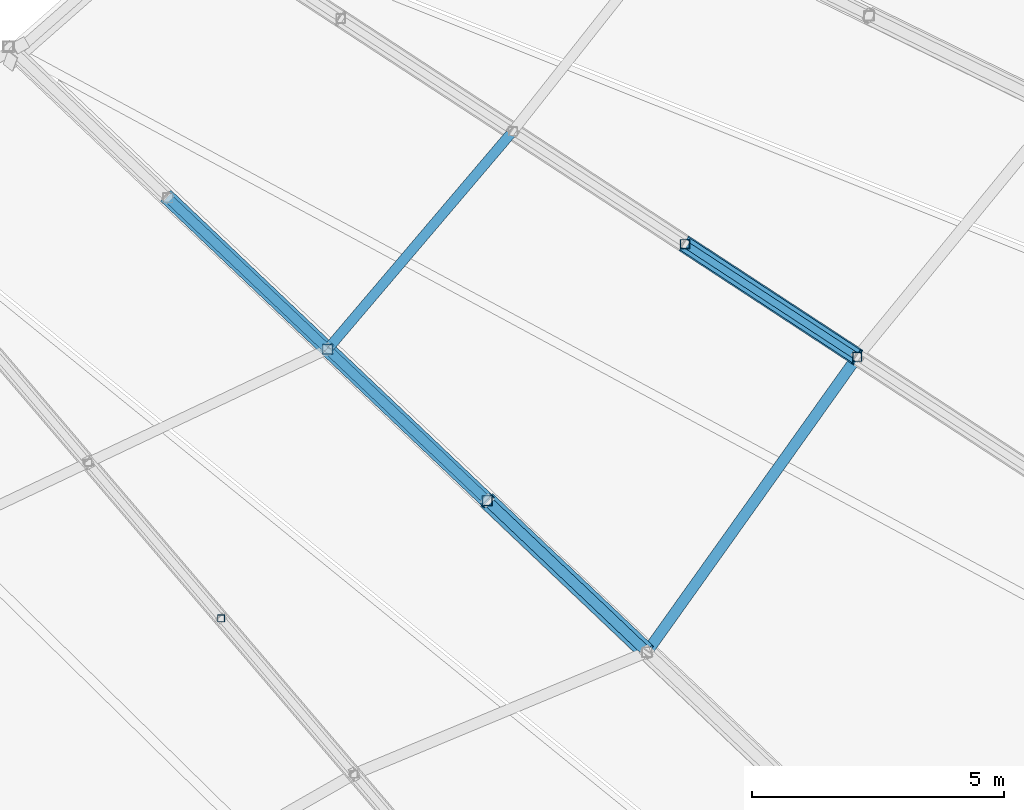
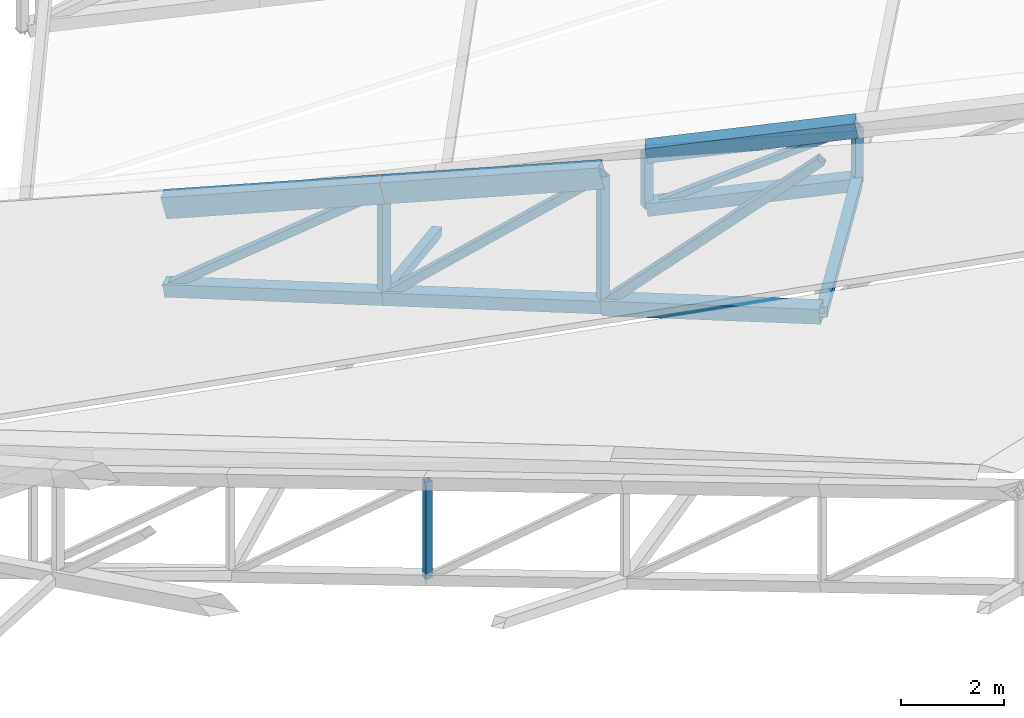
# One storey, part 84 of 344: 18 members.
"""IFC4 building model written with IfcOpenShell, lengths in metres."""

from ifc_helpers import new_model, si_unit, direction, frame, origin, origin_2d, place, context, subcontext, project, spatial, hollow_rectangle, extrude, material, material_profile, profile_set, type_object, element, save


model = new_model("IFC4")

# Units and contexts
model_context = context("Model", 3, precision=1e-05, world=origin(), true_north=direction((0.0, 1.0)))
body_context = subcontext(model_context, "Body", "Model", "MODEL_VIEW")
ifc_project = project(units=[si_unit("LENGTHUNIT", "METRE"), si_unit("AREAUNIT", "SQUARE_METRE"), si_unit("VOLUMEUNIT", "CUBIC_METRE"), si_unit("PLANEANGLEUNIT", "RADIAN"), si_unit("MASSUNIT", "GRAM", prefix="KILO")], contexts=[model_context])

# Site, building, storey
site_placement = place(None, origin())
site = spatial("IfcSite", under=ifc_project, at=site_placement, CompositionType="ELEMENT")
building_placement = place(site_placement, origin())
building = spatial("IfcBuilding", under=site, at=building_placement, Name="Meseta Stadium", CompositionType="ELEMENT")
storey_placement = place(building_placement, frame((0.0, 0.0, 24.0)))
storey = spatial("IfcBuildingStorey", under=building, at=storey_placement, Name="L04", CompositionType="ELEMENT", Elevation=24.0)

# Members
ifc_material_1 = material(Name="Steel S355", Category="steel")
ifc_material_profile_1 = material_profile(ifc_material_1, hollow_rectangle(XDim=0.300048828125, YDim=0.5, WallThickness=0.01611328125, at=origin_2d()), Name="RHS 500x300x16")
ifc_profile_set_1 = profile_set([ifc_material_profile_1], Name="Steel S355")
member_type_1 = type_object("IfcMemberType", Name="RHS 500x300x16 top chord", PredefinedType="CHORD", material=ifc_profile_set_1)
member_1_placement = place(storey_placement, frame((41.57177734375, -64.754638671875, 5.02294921875), z_axis=(0.704890804019, -0.668520917555, 0.237083818936), x_axis=(0.688140350493, 0.725577603033, 0.0)))
element("IfcMember", 1, at=member_1_placement, inside=storey, type_object=member_type_1, Name="ROOF TRUSS RT-52 top chord", PredefinedType="CHORD", context=body_context, shape_type="SweptSolid", body=[
    extrude(hollow_rectangle(XDim=0.300048828125, YDim=0.5, WallThickness=0.01611328125, at=origin_2d()), origin(), (0.0, 0.0, 1.0), 4.49072265625),
])
member_2_placement = place(storey_placement, frame((44.7373046875, -67.7568359375, 6.087646484375), z_axis=(0.704901620819, -0.668533981093, 0.237014811967), x_axis=(0.688141870449, 0.725576161499, 0.0)))
element("IfcMember", 2, at=member_2_placement, inside=storey, type_object=member_type_1, Name="ROOF TRUSS RT-52 top chord", PredefinedType="CHORD", context=body_context, shape_type="SweptSolid", body=[
    extrude(hollow_rectangle(XDim=0.300048828125, YDim=0.5, WallThickness=0.01611328125, at=origin_2d()), origin(), (0.0, 0.0, 1.0), 4.490966796875),
])
ifc_material_2 = material(Name="Steel S355", Category="steel")
ifc_material_profile_2 = material_profile(ifc_material_2, hollow_rectangle(XDim=0.139892578125, YDim=0.139892578125, WallThickness=0.0048828125, at=origin_2d()), Name="SHS 140x140x5")
ifc_profile_set_2 = profile_set([ifc_material_profile_2], Name="Steel S355")
member_type_2 = type_object("IfcMemberType", Name="SHS 140x140x5 diagonal", PredefinedType="BRACE", material=ifc_profile_set_2)
member_3_placement = place(storey_placement, frame((51.82373046875, -65.6728515625, 1.9462890625), z_axis=(0.746894025117, -0.489171261981, 0.450400701261), x_axis=(0.547890600116, 0.836549992711, 0.0)))
element("IfcMember", 3, at=member_3_placement, inside=storey, type_object=member_type_2, Name="ROOF TRUSS RT-53 diagonal", PredefinedType="BRACE", context=body_context, shape_type="SweptSolid", body=[
    extrude(hollow_rectangle(XDim=0.139892578125, YDim=0.139892578125, WallThickness=0.0048828125, at=origin_2d()), origin(), (0.0, 0.0, 1.0), 4.57177734375),
])
ifc_material_3 = material(Name="Steel S355", Category="steel")
ifc_material_profile_3 = material_profile(ifc_material_3, hollow_rectangle(XDim=0.139892578125, YDim=0.139892578125, WallThickness=0.0048828125, at=origin_2d()), Name="SHS 140x140x5")
ifc_profile_set_3 = profile_set([ifc_material_profile_3], Name="Steel S355")
member_type_3 = type_object("IfcMemberType", Name="SHS 140x140x5 post", PredefinedType="POST", material=ifc_profile_set_3)
member_4_placement = place(storey_placement, frame((42.626220703125, -73.09521484375, 0.8837890625), z_axis=(0.0, 0.0, 1.0), x_axis=(1.0, 0.0, 0.0)))
element("IfcMember", 4, at=member_4_placement, inside=storey, type_object=member_type_3, Name="ROOF TRUSS RT-51 post", PredefinedType="POST", context=body_context, shape_type="SweptSolid", body=[
    extrude(hollow_rectangle(XDim=0.139892578125, YDim=0.139892578125, WallThickness=0.0048828125, at=origin_2d()), origin(), (0.0, 0.0, 1.0), 2.300048828125),
])
ifc_material_4 = material(Name="Steel S355", Category="steel")
ifc_material_profile_4 = material_profile(ifc_material_4, hollow_rectangle(XDim=0.179931640625, YDim=0.179931640625, WallThickness=0.00634765625, at=origin_2d()), Name="SHS 180x180x6.3")
ifc_profile_set_4 = profile_set([ifc_material_profile_4], Name="Steel S355")
member_type_4 = type_object("IfcMemberType", Name="SHS 180x180x6.3 diagonal", PredefinedType="BRACE", material=ifc_profile_set_4)
member_5_placement = place(storey_placement, frame((41.57177734375, -64.754638671875, 3.07080078125), z_axis=(0.596790309049, -0.565998027948, 0.568759667509), x_axis=(0.688140350493, 0.725577603033, 0.0)))
element("IfcMember", 5, at=member_5_placement, inside=storey, type_object=member_type_4, Name="ROOF TRUSS RT-52 diagonal", PredefinedType="BRACE", context=body_context, shape_type="SweptSolid", body=[
    extrude(hollow_rectangle(XDim=0.179931640625, YDim=0.179931640625, WallThickness=0.00634765625, at=origin_2d()), origin(), (0.0, 0.0, 1.0), 5.30419921875),
])
member_6_placement = place(storey_placement, frame((44.7373046875, -67.7568359375, 3.583251953125), z_axis=(0.561626335542, -0.532650626552, 0.633134400629), x_axis=(0.688141870449, 0.725576161499, 0.0)))
element("IfcMember", 6, at=member_6_placement, inside=storey, type_object=member_type_4, Name="ROOF TRUSS RT-52 diagonal", PredefinedType="BRACE", context=body_context, shape_type="SweptSolid", body=[
    extrude(hollow_rectangle(XDim=0.179931640625, YDim=0.179931640625, WallThickness=0.00634765625, at=origin_2d()), origin(), (0.0, 0.0, 1.0), 5.63671875),
])
ifc_material_5 = material(Name="Steel S355", Category="steel")
ifc_material_profile_5 = material_profile(ifc_material_5, hollow_rectangle(XDim=0.179931640625, YDim=0.179931640625, WallThickness=0.00634765625, at=origin_2d()), Name="SHS 180x180x6.3")
ifc_profile_set_5 = profile_set([ifc_material_profile_5], Name="Steel S355")
member_type_5 = type_object("IfcMemberType", Name="SHS 180x180x6.3 post", PredefinedType="POST", material=ifc_profile_set_5)
for number, where, z_axis, x_axis, name in (
    (7, (51.82373046875, -65.6728515625, 1.9462890625), (0.0, 0.0, 1.0), (1.0, 0.0, 0.0), "ROOF TRUSS RT-53 post"),
    (8, (55.23828125, -67.9091796875, 2.705322265625), (0.0, 0.0, 1.0), (1.0, 0.0, 0.0), "ROOF TRUSS RT-53 post"),
):
    element("IfcMember", number, at=place(storey_placement, frame(where, z_axis=z_axis, x_axis=x_axis)), inside=storey, type_object=member_type_5, Name=name, PredefinedType="POST", context=body_context, shape_type="SweptSolid", body=[
        extrude(hollow_rectangle(XDim=0.179931640625, YDim=0.179931640625, WallThickness=0.00634765625, at=origin_2d()), origin(), (0.0, 0.0, 1.0), 1.300048828125),
    ])
ifc_material_6 = material(Name="Steel S355", Category="steel")
ifc_material_profile_6 = material_profile(ifc_material_6, hollow_rectangle(XDim=0.199951171875, YDim=0.199951171875, WallThickness=0.008056640625, at=origin_2d()), Name="SHS 200x200x8")
ifc_profile_set_6 = profile_set([ifc_material_profile_6], Name="Steel S355")
member_type_6 = type_object("IfcMemberType", Name="SHS 200x200x8 diagonal", PredefinedType="BRACE", material=ifc_profile_set_6)
member_7_placement = place(storey_placement, frame((47.903076171875, -70.75927734375, 4.095703125), z_axis=(0.527476888282, -0.500260935925, 0.686663766567), x_axis=(0.688140350493, 0.725577603033, 0.0)))
element("IfcMember", 9, at=member_7_placement, inside=storey, type_object=member_type_6, Name="ROOF TRUSS RT-52 diagonal", PredefinedType="BRACE", context=body_context, shape_type="SweptSolid", body=[
    extrude(hollow_rectangle(XDim=0.199951171875, YDim=0.199951171875, WallThickness=0.008056640625, at=origin_2d()), origin(), (0.0, 0.0, 1.0), 6.001220703125),
])
ifc_material_7 = material(Name="Steel S355", Category="steel")
ifc_material_profile_7 = material_profile(ifc_material_7, hollow_rectangle(XDim=0.199951171875, YDim=0.199951171875, WallThickness=0.008056640625, at=origin_2d()), Name="SHS 200x200x8")
ifc_profile_set_7 = profile_set([ifc_material_profile_7], Name="Steel S355")
member_type_7 = type_object("IfcMemberType", Name="SHS 200x200x8 post", PredefinedType="POST", material=ifc_profile_set_7)
member_8_placement = place(storey_placement, frame((44.7373046875, -67.7568359375, 3.583251953125), z_axis=(0.0, 0.0, 1.0), x_axis=(1.0, 0.0, 0.0)))
element("IfcMember", 10, at=member_8_placement, inside=storey, type_object=member_type_7, Name="ROOF TRUSS RT-52 post", PredefinedType="POST", context=body_context, shape_type="SweptSolid", body=[
    extrude(hollow_rectangle(XDim=0.199951171875, YDim=0.199951171875, WallThickness=0.008056640625, at=origin_2d()), origin(), (0.0, 0.0, 1.0), 2.50439453125),
])
member_9_placement = place(storey_placement, frame((47.903076171875, -70.75927734375, 4.095703125), z_axis=(0.0, 0.0, 1.0), x_axis=(1.0, 0.0, 0.0)))
element("IfcMember", 11, at=member_9_placement, inside=storey, type_object=member_type_7, Name="ROOF TRUSS RT-52 post", PredefinedType="POST", context=body_context, shape_type="SweptSolid", body=[
    extrude(hollow_rectangle(XDim=0.199951171875, YDim=0.199951171875, WallThickness=0.008056640625, at=origin_2d()), origin(), (0.0, 0.0, 1.0), 3.056396484375),
])
ifc_material_8 = material(Name="Steel S355", Category="steel")
ifc_material_profile_8 = material_profile(ifc_material_8, hollow_rectangle(XDim=0.199951171875, YDim=0.199951171875, WallThickness=0.008056640625, at=origin_2d()), Name="SHS 200x200x8")
ifc_profile_set_8 = profile_set([ifc_material_profile_8], Name="Steel S355")
member_type_8 = type_object("IfcMemberType", Name="SHS 200x200x8 strut", PredefinedType="STRUT", material=ifc_profile_set_8)
member_10_placement = place(storey_placement, frame((44.7373046875, -67.7568359375, 3.583251953125), z_axis=(0.596497340745, 0.70188290058, -0.389295923892), x_axis=(-0.761994562128, 0.647583421103, 0.0)))
element("IfcMember", 12, at=member_10_placement, inside=storey, type_object=member_type_8, Name="ROOF TRUSS STRUT RT-52/53", PredefinedType="STRUT", context=body_context, shape_type="SweptSolid", body=[
    extrude(hollow_rectangle(XDim=0.199951171875, YDim=0.199951171875, WallThickness=0.008056640625, at=origin_2d()), origin(), (0.0, 0.0, 1.0), 6.1552734375),
])
ifc_material_9 = material(Name="Steel S355", Category="steel")
ifc_material_profile_9 = material_profile(ifc_material_9, hollow_rectangle(XDim=0.219970703125, YDim=0.219970703125, WallThickness=0.008056640625, at=origin_2d()), Name="SHS 220x220x8")
ifc_profile_set_9 = profile_set([ifc_material_profile_9], Name="Steel S355")
member_type_9 = type_object("IfcMemberType", Name="SHS 220x220x8 strut", PredefinedType="STRUT", material=ifc_profile_set_9)
member_11_placement = place(storey_placement, frame((51.068603515625, -73.761474609375, 4.60791015625), z_axis=(0.560938297236, 0.787297378244, -0.255951294008), x_axis=(-0.814426175753, 0.580267183501, 0.0)))
element("IfcMember", 13, at=member_11_placement, inside=storey, type_object=member_type_9, Name="ROOF TRUSS STRUT RT-52/53", PredefinedType="STRUT", context=body_context, shape_type="SweptSolid", body=[
    extrude(hollow_rectangle(XDim=0.219970703125, YDim=0.219970703125, WallThickness=0.008056640625, at=origin_2d()), origin(), (0.0, 0.0, 1.0), 7.433349609375),
])
ifc_material_10 = material(Name="Steel S355", Category="steel")
ifc_material_profile_10 = material_profile(ifc_material_10, hollow_rectangle(XDim=0.300048828125, YDim=0.300048828125, WallThickness=0.010009765625, at=origin_2d()), Name="SHS 300x300x10")
ifc_profile_set_10 = profile_set([ifc_material_profile_10], Name="Steel S355")
member_type_10 = type_object("IfcMemberType", Name="SHS 300x300x10 bottom chord", PredefinedType="CHORD", material=ifc_profile_set_10)
member_12_placement = place(storey_placement, frame((41.57177734375, -64.754638671875, 3.07080078125), z_axis=(0.720623458247, -0.683441822155, 0.116658077962), x_axis=(0.688140350493, 0.725577603033, 0.0)))
element("IfcMember", 14, at=member_12_placement, inside=storey, type_object=member_type_10, Name="ROOF TRUSS RT-52 bottom chord", PredefinedType="CHORD", context=body_context, shape_type="SweptSolid", body=[
    extrude(hollow_rectangle(XDim=0.300048828125, YDim=0.300048828125, WallThickness=0.010009765625, at=origin_2d()), origin(), (0.0, 0.0, 1.0), 4.392822265625),
])
member_13_placement = place(storey_placement, frame((44.7373046875, -67.7568359375, 3.583251953125), z_axis=(0.720622802314, -0.683444067468, 0.116648975249), x_axis=(0.688141870449, 0.725576161499, 0.0)))
element("IfcMember", 15, at=member_13_placement, inside=storey, type_object=member_type_10, Name="ROOF TRUSS RT-52 bottom chord", PredefinedType="CHORD", context=body_context, shape_type="SweptSolid", body=[
    extrude(hollow_rectangle(XDim=0.300048828125, YDim=0.300048828125, WallThickness=0.010009765625, at=origin_2d()), origin(), (0.0, 0.0, 1.0), 4.39306640625),
])
member_14_placement = place(storey_placement, frame((51.82373046875, -65.6728515625, 1.9462890625), z_axis=(0.822450255306, -0.538656108866, 0.182825528653), x_axis=(0.547890600116, 0.836549992711, 0.0)))
element("IfcMember", 16, at=member_14_placement, inside=storey, type_object=member_type_10, Name="ROOF TRUSS RT-53 bottom chord", PredefinedType="CHORD", context=body_context, shape_type="SweptSolid", body=[
    extrude(hollow_rectangle(XDim=0.300048828125, YDim=0.300048828125, WallThickness=0.010009765625, at=origin_2d()), origin(), (0.0, 0.0, 1.0), 4.151611328125),
])
ifc_material_11 = material(Name="Steel S355", Category="steel")
ifc_material_profile_11 = material_profile(ifc_material_11, hollow_rectangle(XDim=0.35009765625, YDim=0.35009765625, WallThickness=0.010009765625, at=origin_2d()), Name="SHS 350x350x10")
ifc_profile_set_11 = profile_set([ifc_material_profile_11], Name="Steel S355")
member_type_11 = type_object("IfcMemberType", Name="SHS 350x350x10 top chord", PredefinedType="CHORD", material=ifc_profile_set_11)
member_15_placement = place(storey_placement, frame((51.82373046875, -65.6728515625, 3.246337890625), z_axis=(0.822450255306, -0.538656108866, 0.182825528653), x_axis=(0.547890600116, 0.836549992711, 0.0)))
element("IfcMember", 17, at=member_15_placement, inside=storey, type_object=member_type_11, Name="ROOF TRUSS RT-53 top chord", PredefinedType="CHORD", context=body_context, shape_type="SweptSolid", body=[
    extrude(hollow_rectangle(XDim=0.35009765625, YDim=0.35009765625, WallThickness=0.010009765625, at=origin_2d()), origin(), (0.0, 0.0, 1.0), 4.151611328125),
])
ifc_material_12 = material(Name="Steel S355", Category="steel")
ifc_material_profile_12 = material_profile(ifc_material_12, hollow_rectangle(XDim=0.35009765625, YDim=0.35009765625, WallThickness=0.01416015625, at=origin_2d()), Name="SHS 350x350x14.2")
ifc_profile_set_12 = profile_set([ifc_material_profile_12], Name="Steel S355")
member_type_12 = type_object("IfcMemberType", Name="SHS 350x350x14.2 bottom chord", PredefinedType="CHORD", material=ifc_profile_set_12)
member_16_placement = place(storey_placement, frame((47.903076171875, -70.75927734375, 4.095703125), z_axis=(0.720628129424, -0.683446252316, 0.116603255864), x_axis=(0.688140350493, 0.725577603033, 0.0)))
element("IfcMember", 18, at=member_16_placement, inside=storey, type_object=member_type_12, Name="ROOF TRUSS RT-52 bottom chord", PredefinedType="CHORD", context=body_context, shape_type="SweptSolid", body=[
    extrude(hollow_rectangle(XDim=0.35009765625, YDim=0.35009765625, WallThickness=0.01416015625, at=origin_2d()), origin(), (0.0, 0.0, 1.0), 4.392822265625),
])

save(model, "model.ifc")
